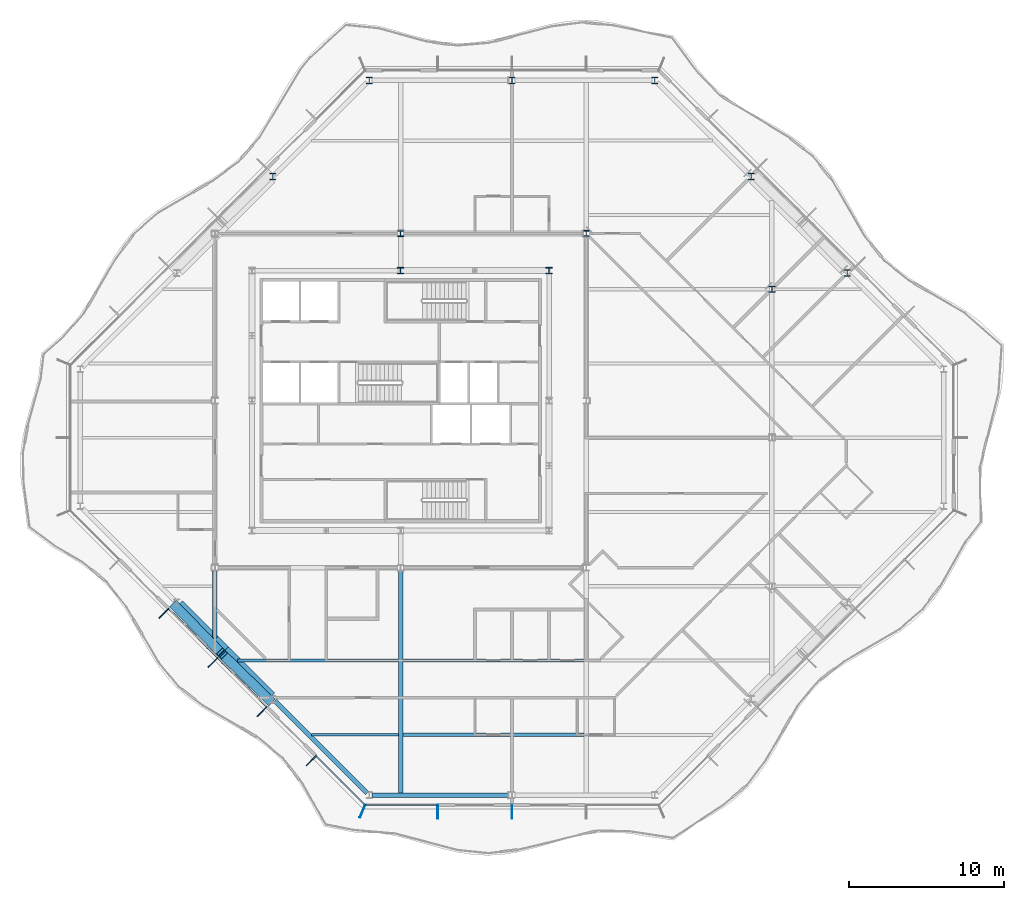
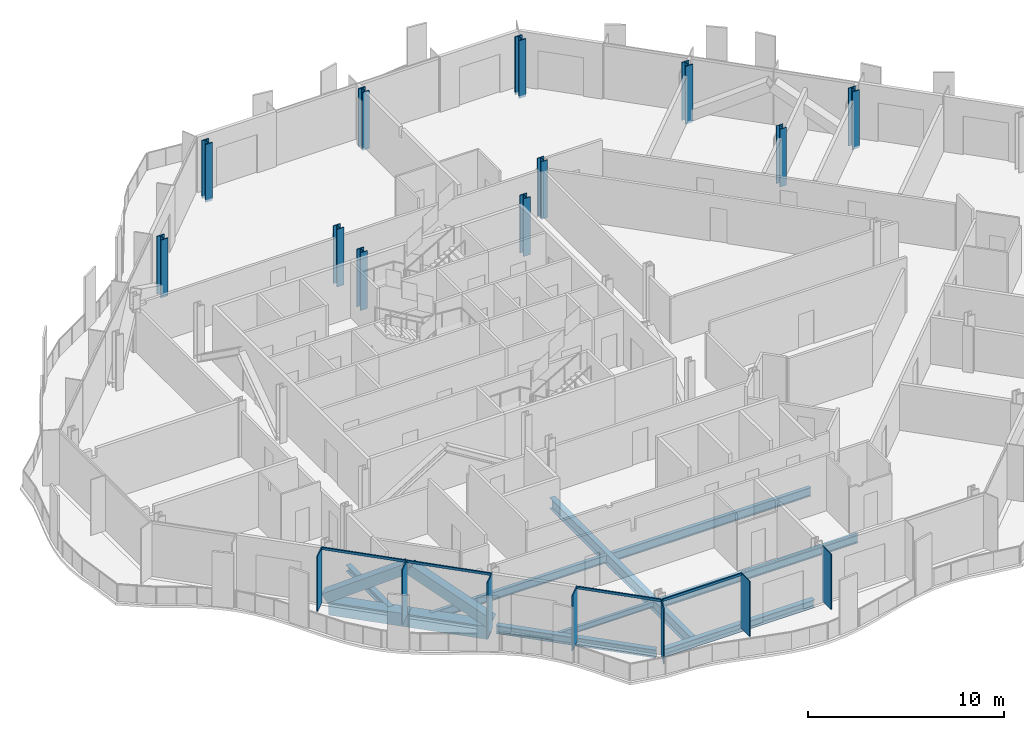
# One storey, part 2 of 17: 13 members, 11 columns, 10 beams, 2 elements without a shape of their own.
"""IFC4 building model written with IfcOpenShell, lengths in metres."""

import ifcopenshell
import ifcopenshell.guid

model = None  # the IFC model being written
_history = None  # IfcOwnerHistory: only IFC2X3 demands one
_inside = {}  # id of a spatial element -> (the spatial element, [elements in it])
_under = {}  # id of a project, library or spatial element -> (it, [spatial elements below it])
_declared = {}  # id of a project -> (the project, [libraries it declares])
_typed = {}  # id of a type object -> (the type object, [elements of that type])
_made_of = {}  # id of a material, layer set ... -> (it, [elements and type objects made of it])


def new_model(schema):
    """Start an empty IFC model of exactly this schema.

    Asked for "IFC4X3", IfcOpenShell would pick the latest addendum, in which some entities
    have other attributes; the version numbers below select the first issue.
    IFC2X3 requires an IfcOwnerHistory on every rooted entity: one is made here for all.
    """
    global model, _history
    if schema == "IFC4X3":
        model = ifcopenshell.file(schema_version=(4, 3, 0, 0))
    else:
        model = ifcopenshell.file(schema=schema)
    _inside.clear()
    _under.clear()
    _declared.clear()
    _typed.clear()
    _made_of.clear()
    _history = None
    if model.schema == "IFC2X3":
        org = make("IfcOrganization", Name="unknown")
        user = make(
            "IfcPersonAndOrganization",
            ThePerson=make("IfcPerson", FamilyName="unknown"),
            TheOrganization=org,
        )
        app = make(
            "IfcApplication",
            ApplicationDeveloper=org,
            Version="unknown",
            ApplicationFullName="unknown",
            ApplicationIdentifier="unknown",
        )
        _history = make(
            "IfcOwnerHistory",
            OwningUser=user,
            OwningApplication=app,
            ChangeAction="ADDED",
            CreationDate=0,
        )
    return model


def make(cls, **values):
    """One entity of the class cls with the attributes given. An attribute that is None is left unset."""
    return model.create_entity(
        cls, **{name: value for name, value in values.items() if value is not None}
    )


def rooted(cls, **values):
    """An entity with a GlobalId (a new one), such as an element, a storey or a relation."""
    return make(cls, GlobalId=ifcopenshell.guid.new(), OwnerHistory=_history, **values)


def si_unit(unit_type, name, prefix=None):
    """IfcSIUnit, for example si_unit("LENGTHUNIT", "METRE", prefix="MILLI")."""
    return make("IfcSIUnit", UnitType=unit_type, Prefix=prefix, Name=name)


def assignment(units):
    """IfcUnitAssignment: the units of a project."""
    return None if units is None else make("IfcUnitAssignment", Units=units)


def point(xyz):
    """IfcCartesianPoint."""
    return None if xyz is None else make("IfcCartesianPoint", Coordinates=xyz)


def direction(xyz):
    """IfcDirection."""
    return None if xyz is None else make("IfcDirection", DirectionRatios=xyz)


def frame(location, z_axis=None, x_axis=None):
    """IfcAxis2Placement3D, a coordinate frame: its origin and axes. An axis left out is left unset."""
    return make(
        "IfcAxis2Placement3D",
        Location=point(location),
        Axis=direction(z_axis),
        RefDirection=direction(x_axis),
    )


def frame_2d(location, x_axis=None):
    """IfcAxis2Placement2D, a coordinate frame in the plane: its origin and x axis."""
    return make(
        "IfcAxis2Placement2D", Location=point(location), RefDirection=direction(x_axis)
    )


def origin():
    """The frame at (0, 0, 0) with its axes left unset."""
    return frame((0.0, 0.0, 0.0))


def origin_2d():
    """The frame at (0, 0) in the plane with its x axis left unset."""
    return frame_2d((0.0, 0.0))


def place(relative_to, where):
    """IfcLocalPlacement: puts the frame where relative to a parent placement (None: the world)."""
    return make(
        "IfcLocalPlacement", PlacementRelTo=relative_to, RelativePlacement=where
    )


def context(
    kind, dimensions, precision=None, world=None, true_north=None, identifier=None
):
    """IfcGeometricRepresentationContext, for example the 3D "Model" context."""
    return make(
        "IfcGeometricRepresentationContext",
        ContextIdentifier=identifier,
        ContextType=kind,
        CoordinateSpaceDimension=dimensions,
        Precision=precision,
        WorldCoordinateSystem=world,
        TrueNorth=true_north,
    )


def subcontext(parent, identifier, kind, view, scale=None):
    """IfcGeometricRepresentationSubContext, for example "Body" below "Model"."""
    return make(
        "IfcGeometricRepresentationSubContext",
        ContextIdentifier=identifier,
        ContextType=kind,
        ParentContext=parent,
        TargetScale=scale,
        TargetView=view,
    )


def project(units=None, contexts=None):
    """IfcProject with its units and contexts."""
    return rooted(
        "IfcProject",
        Name="project",
        RepresentationContexts=contexts,
        UnitsInContext=assignment(units),
    )


def spatial(cls, under=None, at=None, **own):
    """A site, building, storey or space (cls), placed at a placement, below another one or the project."""
    s = rooted(cls, ObjectPlacement=at, **own)
    if under is not None:
        _under.setdefault(under.id(), (under, []))[1].append(s)
    return s


def profile(cls, at=None, kind="AREA", **sizes):
    """A parametric profile (cls). Its sizes go by their IFC names, for example OverallWidth=200.0."""
    return make(cls, ProfileType=kind, Position=at, **sizes)


def rectangle(**sizes):
    """IfcRectangleProfileDef."""
    return profile("IfcRectangleProfileDef", **sizes)


def hollow_rectangle(**sizes):
    """IfcRectangleHollowProfileDef."""
    return profile("IfcRectangleHollowProfileDef", **sizes)


def i_section(**sizes):
    """IfcIShapeProfileDef."""
    return profile("IfcIShapeProfileDef", **sizes)


def extrude(swept, where, along, depth):
    """IfcExtrudedAreaSolid: the profile swept, set in the frame where, extruded along a direction by depth."""
    return make(
        "IfcExtrudedAreaSolid",
        SweptArea=swept,
        Position=where,
        ExtrudedDirection=direction(along),
        Depth=depth,
    )


def shape(context_of_items, identifier, shape_type, items):
    """IfcShapeRepresentation: the items that make up one representation, for example the "Body"."""
    return make(
        "IfcShapeRepresentation",
        ContextOfItems=context_of_items,
        RepresentationIdentifier=identifier,
        RepresentationType=shape_type,
        Items=items,
    )


def material(Name=None, Category=None):
    """IfcMaterial."""
    return make("IfcMaterial", Name=Name, Category=Category)


def material_profile(
    of_material, cross_section, Name=None, Category=None, Priority=None
):
    """IfcMaterialProfile: a cross section and its material."""
    return make(
        "IfcMaterialProfile",
        Name=Name,
        Material=of_material,
        Profile=cross_section,
        Priority=Priority,
        Category=Category,
    )


def profile_set(profiles, Name=None, composite=None):
    """IfcMaterialProfileSet."""
    return make(
        "IfcMaterialProfileSet",
        Name=Name,
        MaterialProfiles=profiles,
        CompositeProfile=composite,
    )


def made_of(thing, what):
    """Note that an element or type object is made of a material, layer set ...; save() writes the relation."""
    if what is not None:
        _made_of.setdefault(what.id(), (what, []))[1].append(thing)
    return thing


def type_object(cls, material=None, **own):
    """A type object (cls), such as IfcWallType, which elements share."""
    return made_of(rooted(cls, **own), material)


def element(
    cls,
    number,
    at=None,
    inside=None,
    cuts=None,
    type_object=None,
    material=None,
    context=None,
    identifier="Body",
    shape_type=None,
    held_by="IfcProductDefinitionShape",
    body=None,
    shapes=None,
    **own,
):
    """One element of the class cls, such as IfcWall. Its Tag is "e" and its number.

    at: its placement. inside: the storey or other place that contains it. cuts: it is an
    opening in that element (IfcRelVoidsElement). A single representation is given by context,
    identifier, shape_type and body (its items); several are given by shapes. held_by: the class
    of the entity that holds the representations. save() writes the other relations.
    """
    e = rooted(cls, Tag="e%d" % number, ObjectPlacement=at, **own)
    if body is not None:
        shapes = [shape(context, identifier, shape_type, body)]
    if shapes is not None:
        e.Representation = make(held_by, Representations=shapes)
    if inside is not None:
        _inside.setdefault(inside.id(), (inside, []))[1].append(e)
    if cuts is not None:
        rooted(
            "IfcRelVoidsElement", RelatingBuildingElement=cuts, RelatedOpeningElement=e
        )
    if type_object is not None:
        _typed.setdefault(type_object.id(), (type_object, []))[1].append(e)
    return made_of(e, material)


def aggregate(whole, parts):
    """IfcRelAggregates: a whole, such as a stair, and the parts it consists of."""
    return rooted("IfcRelAggregates", RelatingObject=whole, RelatedObjects=parts)


def save(model, path):
    """Write the relations noted so far, then the file.

    IfcRelAggregates (storeys below a building ...), IfcRelContainedInSpatialStructure (elements
    in a storey), IfcRelDefinesByType, IfcRelAssociatesMaterial and IfcRelDeclares: one each for
    every whole, place, type object, material and project.
    """
    for whole, parts in _under.values():
        aggregate(whole, parts)
    for where, things in _inside.values():
        rooted(
            "IfcRelContainedInSpatialStructure",
            RelatedElements=things,
            RelatingStructure=where,
        )
    for kind, things in _typed.values():
        rooted("IfcRelDefinesByType", RelatedObjects=things, RelatingType=kind)
    for what, things in _made_of.values():
        rooted("IfcRelAssociatesMaterial", RelatedObjects=things, RelatingMaterial=what)
    for by, libraries in _declared.values():
        rooted("IfcRelDeclares", RelatingContext=by, RelatedDefinitions=libraries)
    model.write(path)


model = new_model("IFC4")

# Units and contexts
model_context = context("Model", 3, precision=1e-05, world=origin(), true_north=direction((0.0, 1.0)))
body_context = subcontext(model_context, "Body", "Model", "MODEL_VIEW")
ifc_project = project(units=[si_unit("LENGTHUNIT", "METRE"), si_unit("AREAUNIT", "SQUARE_METRE"), si_unit("VOLUMEUNIT", "CUBIC_METRE"), si_unit("PLANEANGLEUNIT", "RADIAN"), si_unit("MASSUNIT", "GRAM", prefix="KILO")], contexts=[model_context])

# Site, building, storey
site_placement = place(None, origin())
site = spatial("IfcSite", under=ifc_project, at=site_placement, CompositionType="ELEMENT")
building_placement = place(site_placement, origin())
building = spatial("IfcBuilding", under=site, at=building_placement, Name="Cairn Pilgrim Tower", CompositionType="ELEMENT")
storey_placement = place(building_placement, frame((0.0, 0.0, 214.199951171875)))
storey = spatial("IfcBuildingStorey", under=building, at=storey_placement, Name="L54", CompositionType="ELEMENT", Elevation=214.199951171875)

# Columns
ifc_material_1 = material(Name="Structural steel S355J2", Category="steel")
ifc_material_profile_1 = material_profile(ifc_material_1, i_section(OverallWidth=0.39892578125, OverallDepth=0.39306640625, WebThickness=0.022705078125, FlangeThickness=0.03662109375, FilletRadius=0.014892578125, at=origin_2d()), Name="HD 400x287")
ifc_profile_set_1 = profile_set([ifc_material_profile_1], Name="Structural steel S355J2")
column_type_1 = type_object("IfcColumnType", Name="HD 400x287", PredefinedType="COLUMN", material=ifc_profile_set_1)
for number, where, z_axis, x_axis, name in (
    (1, (7.199951171875, 13.199951171875, -0.14990234375), (0.0, 0.0, 1.0), (1.0, 0.0, 0.0), "IC-7"),
    (2, (19.199951171875, 13.199951171875, -0.14990234375), (0.0, 0.0, 1.0), (1.0, 0.0, 0.0), "IC-8"),
    (3, (31.199951171875, 9.60009765625, -0.14990234375), (0.0, 0.0, 1.0), (1.0, 0.0, 0.0), "WC-WE+2"),
):
    element("IfcColumn", number, at=place(storey_placement, frame(where, z_axis=z_axis, x_axis=x_axis)), inside=storey, type_object=column_type_1, Name=name, PredefinedType="COLUMN", context=body_context, shape_type="SweptSolid", body=[
        extrude(i_section(OverallWidth=0.39892578125, OverallDepth=0.39306640625, WebThickness=0.022705078125, FlangeThickness=0.03662109375, FilletRadius=0.014892578125, at=origin_2d()), origin(), (0.0, 0.0, 1.0), 3.599853515625),
    ])
ifc_material_2 = material(Name="Structural steel S460M", Category="steel")
ifc_material_profile_2 = material_profile(ifc_material_2, i_section(OverallWidth=0.404052734375, OverallDepth=0.406982421875, WebThickness=0.027099609375, FlangeThickness=0.043701171875, FilletRadius=0.014892578125, at=origin_2d()), Name="HD 400x347")
ifc_profile_set_2 = profile_set([ifc_material_profile_2], Name="Structural steel S460M")
column_type_2 = type_object("IfcColumnType", Name="HD 400x347", PredefinedType="COLUMN", material=ifc_profile_set_2)
for number, where, z_axis, x_axis, name in (
    (4, (7.199951171875, 10.800048828125, -0.14990234375), (0.0, 0.0, 1.0), (1.0, 0.0, 0.0), "KC-7"),
    (5, (16.800048828125, 10.800048828125, -0.14990234375), (0.0, 0.0, 1.0), (1.0, 0.0, 0.0), "KC-8"),
):
    element("IfcColumn", number, at=place(storey_placement, frame(where, z_axis=z_axis, x_axis=x_axis)), inside=storey, type_object=column_type_2, Name=name, PredefinedType="COLUMN", context=body_context, shape_type="SweptSolid", body=[
        extrude(i_section(OverallWidth=0.404052734375, OverallDepth=0.406982421875, WebThickness=0.027099609375, FlangeThickness=0.043701171875, FilletRadius=0.014892578125, at=origin_2d()), origin(), (0.0, 0.0, 1.0), 3.599853515625),
    ])
ifc_material_profile_3 = material_profile(ifc_material_2, i_section(OverallWidth=0.416015625, OverallDepth=0.446044921875, WebThickness=0.0390625, FlangeThickness=0.062744140625, FilletRadius=0.014892578125, at=origin_2d()), Name="HD 400x509")
ifc_profile_set_3 = profile_set([ifc_material_profile_3], Name="Structural steel S460M")
column_type_3 = type_object("IfcColumnType", Name="HD 400x509", PredefinedType="COLUMN", material=ifc_profile_set_3)
for number, where, z_axis, x_axis, name in (
    (6, (36.07568359375, 10.651611328125, -0.14990234375), (0.0, 0.0, 1.0), (1.0, 0.0, 0.0), "PC3-NE2"),
    (7, (29.8515625, 16.875732421875, -0.14990234375), (0.0, 0.0, 1.0), (1.0, 0.0, 0.0), "PC3-NE3"),
    (8, (23.627197265625, 23.10009765625, -0.14990234375), (0.0, 0.0, 1.0), (1.0, 0.0, 0.0), "PC3-N1"),
    (9, (14.39990234375, 23.10009765625, -0.14990234375), (0.0, 0.0, 1.0), (1.0, 0.0, 0.0), "PC3-N2"),
    (10, (5.1728515625, 23.10009765625, -0.14990234375), (0.0, 0.0, 1.0), (1.0, 0.0, 0.0), "PC3-NW1"),
    (11, (-1.051513671875, 16.875732421875, -0.14990234375), (0.0, 0.0, 1.0), (1.0, 0.0, 0.0), "PC3-NW2"),
):
    element("IfcColumn", number, at=place(storey_placement, frame(where, z_axis=z_axis, x_axis=x_axis)), inside=storey, type_object=column_type_3, Name=name, PredefinedType="COLUMN", context=body_context, shape_type="SweptSolid", body=[
        extrude(i_section(OverallWidth=0.416015625, OverallDepth=0.446044921875, WebThickness=0.0390625, FlangeThickness=0.062744140625, FilletRadius=0.014892578125, at=origin_2d()), origin(), (0.0, 0.0, 1.0), 3.599853515625),
    ])

# Members
ifc_material_profile_4 = material_profile(ifc_material_2, hollow_rectangle(XDim=0.60009765625, YDim=0.60009765625, WallThickness=0.034912109375, at=origin_2d()), Name="BOX 600x600x35")
ifc_profile_set_4 = profile_set([ifc_material_profile_4], Name="Structural steel S460M")
member_type_1 = type_object("IfcMemberType", Name="BOX 600x600x35 BRACE", PredefinedType="BRACE", material=ifc_profile_set_4)
member_1_placement = place(storey_placement, frame((-7.4013671875, -10.823974609375, 0.150146484375), z_axis=(0.594778373814, -0.610009201523, 0.523571828979), x_axis=(0.715988756584, 0.698111810848, 0.0)))
element("IfcMember", 12, at=member_1_placement, inside=storey, type_object=member_type_1, Name="XB-SW2-SW3-1", PredefinedType="BRACE", context=body_context, shape_type="SweptSolid", body=[
    extrude(hollow_rectangle(XDim=0.60009765625, YDim=0.60009765625, WallThickness=0.034912109375, at=origin_2d()), origin(), (0.0, 0.0, 1.0), 5.033203125),
])
member_2_placement = place(storey_placement, frame((-1.22412109375, -17.00146484375, 0.150146484375), z_axis=(-0.609978743911, 0.59479597279, 0.523587321016), x_axis=(-0.698140268834, -0.71596100804, 0.0)))
element("IfcMember", 13, at=member_2_placement, inside=storey, type_object=member_type_1, Name="XB-SW2-SW3-2", PredefinedType="BRACE", context=body_context, shape_type="SweptSolid", body=[
    extrude(hollow_rectangle(XDim=0.60009765625, YDim=0.60009765625, WallThickness=0.034912109375, at=origin_2d()), origin(), (0.0, 0.0, 1.0), 5.032958984375),
])

# Beams
ifc_material_profile_5 = material_profile(ifc_material_1, hollow_rectangle(XDim=0.699951171875, YDim=0.800048828125, WallThickness=0.0400390625, at=origin_2d()), Name="BOX 700x800x40")
ifc_profile_set_5 = profile_set([ifc_material_profile_5], Name="Structural steel S355J2")
beam_type_1 = type_object("IfcBeamType", Name="BOX 700x800x40 RING GIRDER", PredefinedType="SPANDREL", material=ifc_profile_set_5)
beam_1_placement = place(storey_placement, frame((-7.143310546875, -10.78369140625, -0.550048828125), z_axis=(0.707077813866, -0.707135747321, 0.0), x_axis=(0.707135747321, 0.707077813866, 0.0)))
element("IfcBeam", 14, at=beam_1_placement, inside=storey, type_object=beam_type_1, Name="RG3-SW2-SW3-1", PredefinedType="SPANDREL", context=body_context, shape_type="SweptSolid", body=[
    extrude(hollow_rectangle(XDim=0.699951171875, YDim=0.800048828125, WallThickness=0.0400390625, at=origin_2d()), origin(), (0.0, 0.0, 1.0), 4.214111328125),
])
beam_2_placement = place(storey_placement, frame((-4.16357421875, -13.763671875, -0.550048828125), z_axis=(0.707106781187, -0.707106781187, 0.0), x_axis=(0.707106781187, 0.707106781187, 0.0)))
element("IfcBeam", 15, at=beam_2_placement, inside=storey, type_object=beam_type_1, Name="RG3-SW2-SW3-2", PredefinedType="SPANDREL", context=body_context, shape_type="SweptSolid", body=[
    extrude(hollow_rectangle(XDim=0.699951171875, YDim=0.800048828125, WallThickness=0.0400390625, at=origin_2d()), origin(), (0.0, 0.0, 1.0), 4.2138671875),
])

# Curtain wall, members
ifc_material_3 = material(Name="Aluminium alloy 6063-T6 bronze anodised with Bronze tinted laminated low-E glass 8+16+8.8", Category="aluminium")
curtain_wall_type_1 = type_object("IfcCurtainWallType", Name="TOWER STICK CURTAIN WALL NS", PredefinedType="NOTDEFINED", material=ifc_material_3)
curtain_wall_1_placement = place(storey_placement, origin())
curtain_wall_1 = element("IfcCurtainWall", 16, at=curtain_wall_1_placement, inside=storey, type_object=curtain_wall_type_1, Name="Tower Stick Curtain Wall Ns S", PredefinedType="NOTDEFINED")
ifc_material_4 = material(Name="Aluminium alloy 6063-T6 bronze anodised", Category="aluminium")
ifc_material_profile_6 = material_profile(ifc_material_4, rectangle(XDim=0.89990234375, YDim=0.06005859375, at=origin_2d()), Name="FIN MULLION 60x900 BRONZE")
ifc_profile_set_6 = profile_set([ifc_material_profile_6], Name="Aluminium alloy 6063-T6 bronze anodised")
member_type_2 = type_object("IfcMemberType", Name="FIN MULLION 60x900 BRONZE", PredefinedType="MULLION", material=ifc_profile_set_6)
member_3_placement = place(storey_placement, frame((4.742919921875, -24.137939453125, 0.0), z_axis=(0.0, 0.0, 1.0), x_axis=(-0.382683432365, -0.923879532511, 0.0)))
member_3 = element("IfcMember", 17, at=member_3_placement, type_object=member_type_2, Name="Fin mullion S1", PredefinedType="MULLION", context=body_context, shape_type="SweptSolid", body=[
    extrude(rectangle(XDim=0.89990234375, YDim=0.06005859375, at=origin_2d()), origin(), (0.0, 0.0, 1.0), 3.449951171875),
])
member_4_placement = place(storey_placement, frame((9.60009765625, -24.169921875, 0.0), z_axis=(0.0, 0.0, 1.0), x_axis=(0.0, -1.0, 0.0)))
member_4 = element("IfcMember", 18, at=member_4_placement, type_object=member_type_2, Name="Fin mullion S2", PredefinedType="MULLION", context=body_context, shape_type="SweptSolid", body=[
    extrude(rectangle(XDim=0.89990234375, YDim=0.06005859375, at=origin_2d()), origin(), (0.0, 0.0, 1.0), 3.449951171875),
])
member_5_placement = place(storey_placement, frame((14.39990234375, -24.169921875, 0.0), z_axis=(0.0, 0.0, 1.0), x_axis=(0.0, -1.0, 0.0)))
member_5 = element("IfcMember", 19, at=member_5_placement, type_object=member_type_2, Name="Fin mullion S3", PredefinedType="MULLION", context=body_context, shape_type="SweptSolid", body=[
    extrude(rectangle(XDim=0.89990234375, YDim=0.06005859375, at=origin_2d()), origin(), (0.0, 0.0, 1.0), 3.449951171875),
])

curtain_wall_type_2 = type_object("IfcCurtainWallType", Name="CHAMFER CORNER CURTAIN WALL", PredefinedType="NOTDEFINED", material=ifc_material_3)
curtain_wall_2_placement = place(storey_placement, origin())
curtain_wall_2 = element("IfcCurtainWall", 20, at=curtain_wall_2_placement, inside=storey, type_object=curtain_wall_type_2, Name="Chamfer Corner Curtain Wall SW", PredefinedType="NOTDEFINED")
member_6_placement = place(storey_placement, frame((-8.095703125, -11.3447265625, 0.0), z_axis=(0.0, 0.0, 1.0), x_axis=(-0.707106781187, -0.707106781187, 0.0)))
member_6 = element("IfcMember", 21, at=member_6_placement, type_object=member_type_2, Name="Fin mullion SW3", PredefinedType="MULLION", context=body_context, shape_type="SweptSolid", body=[
    extrude(rectangle(XDim=0.89990234375, YDim=0.06005859375, at=origin_2d()), origin(), (0.0, 0.0, 1.0), 3.449951171875),
])
member_7_placement = place(storey_placement, frame((-4.920166015625, -14.520263671875, 0.0), z_axis=(0.0, 0.0, 1.0), x_axis=(-0.707106781187, -0.707106781187, 0.0)))
member_7 = element("IfcMember", 22, at=member_7_placement, type_object=member_type_2, Name="Fin mullion SW4", PredefinedType="MULLION", context=body_context, shape_type="SweptSolid", body=[
    extrude(rectangle(XDim=0.89990234375, YDim=0.06005859375, at=origin_2d()), origin(), (0.0, 0.0, 1.0), 3.449951171875),
])
member_8_placement = place(storey_placement, frame((-1.74462890625, -17.69580078125, 0.0), z_axis=(0.0, 0.0, 1.0), x_axis=(-0.707106781187, -0.707106781187, 0.0)))
member_8 = element("IfcMember", 23, at=member_8_placement, type_object=member_type_2, Name="Fin mullion SW5", PredefinedType="MULLION", context=body_context, shape_type="SweptSolid", body=[
    extrude(rectangle(XDim=0.89990234375, YDim=0.06005859375, at=origin_2d()), origin(), (0.0, 0.0, 1.0), 3.449951171875),
])
member_9_placement = place(storey_placement, frame((1.430908203125, -20.871337890625, 0.0), z_axis=(0.0, 0.0, 1.0), x_axis=(-0.707106781187, -0.707106781187, 0.0)))
member_9 = element("IfcMember", 24, at=member_9_placement, type_object=member_type_2, Name="Fin mullion SW6", PredefinedType="MULLION", context=body_context, shape_type="SweptSolid", body=[
    extrude(rectangle(XDim=0.89990234375, YDim=0.06005859375, at=origin_2d()), origin(), (0.0, 0.0, 1.0), 3.449951171875),
])

# Beams
ifc_material_profile_7 = material_profile(ifc_material_1, i_section(OverallWidth=0.300048828125, OverallDepth=0.39990234375, WebThickness=0.013427734375, FlangeThickness=0.02392578125, FilletRadius=0.027099609375, at=origin_2d()), Name="HEB 400")
ifc_profile_set_7 = profile_set([ifc_material_profile_7], Name="Structural steel S355J2")
beam_type_2 = type_object("IfcBeamType", Name="HEB 400 GIRDER", PredefinedType="BEAM", material=ifc_profile_set_7)
beam_3_placement = place(storey_placement, frame((-4.800048828125, -12.945068359375, -0.349853515625), z_axis=(0.0, 1.0, 0.0), x_axis=(-1.0, 0.0, 0.0)))
element("IfcBeam", 25, at=beam_3_placement, inside=storey, type_object=beam_type_2, Name="PG2-1", PredefinedType="BEAM", context=body_context, shape_type="SweptSolid", body=[
    extrude(i_section(OverallWidth=0.300048828125, OverallDepth=0.39990234375, WebThickness=0.013427734375, FlangeThickness=0.02392578125, FilletRadius=0.027099609375, at=origin_2d()), origin(), (0.0, 0.0, 1.0), 4.345458984375),
])
ifc_material_profile_8 = material_profile(ifc_material_1, i_section(OverallWidth=0.300048828125, OverallDepth=0.5, WebThickness=0.014404296875, FlangeThickness=0.028076171875, FilletRadius=0.027099609375, at=origin_2d()), Name="HEB 500")
ifc_profile_set_8 = profile_set([ifc_material_profile_8], Name="Structural steel S355J2")
beam_type_3 = type_object("IfcBeamType", Name="HEB 500 RING GIRDER", PredefinedType="SPANDREL", material=ifc_profile_set_8)
beam_4_placement = place(storey_placement, frame((5.360107421875, -23.10009765625, -0.39990234375), z_axis=(1.0, 0.0, 0.0), x_axis=(0.0, 1.0, 0.0)))
element("IfcBeam", 26, at=beam_4_placement, inside=storey, type_object=beam_type_3, Name="RG3-S1-S2", PredefinedType="SPANDREL", context=body_context, shape_type="SweptSolid", body=[
    extrude(i_section(OverallWidth=0.300048828125, OverallDepth=0.5, WebThickness=0.014404296875, FlangeThickness=0.028076171875, FilletRadius=0.027099609375, at=origin_2d()), origin(), (0.0, 0.0, 1.0), 8.852783203125),
])
beam_5_placement = place(storey_placement, frame((-0.919189453125, -17.008056640625, -0.39990234375), z_axis=(0.707106781187, -0.707106781187, 0.0), x_axis=(0.707106781187, 0.707106781187, 0.0)))
element("IfcBeam", 27, at=beam_5_placement, inside=storey, type_object=beam_type_3, Name="RG3-SW3-S1", PredefinedType="SPANDREL", context=body_context, shape_type="SweptSolid", body=[
    extrude(i_section(OverallWidth=0.300048828125, OverallDepth=0.5, WebThickness=0.014404296875, FlangeThickness=0.028076171875, FilletRadius=0.027099609375, at=origin_2d()), origin(), (0.0, 0.0, 1.0), 8.427978515625),
])
ifc_material_profile_9 = material_profile(ifc_material_1, i_section(OverallWidth=0.300048828125, OverallDepth=0.699951171875, WebThickness=0.01708984375, FlangeThickness=0.031982421875, FilletRadius=0.027099609375, at=origin_2d()), Name="HEB 700")
ifc_profile_set_9 = profile_set([ifc_material_profile_9], Name="Structural steel S355J2")
beam_type_4 = type_object("IfcBeamType", Name="HEB 700 GIRDER", PredefinedType="BEAM", material=ifc_profile_set_9)
beam_6_placement = place(storey_placement, frame((7.199951171875, -22.97998046875, -0.5), z_axis=(0.0, 1.0, 0.0), x_axis=(-1.0, 0.0, 0.0)))
element("IfcBeam", 28, at=beam_6_placement, inside=storey, type_object=beam_type_4, Name="PG3-1", PredefinedType="BEAM", context=body_context, shape_type="SweptSolid", body=[
    extrude(i_section(OverallWidth=0.300048828125, OverallDepth=0.699951171875, WebThickness=0.01708984375, FlangeThickness=0.031982421875, FilletRadius=0.027099609375, at=origin_2d()), origin(), (0.0, 0.0, 1.0), 14.38037109375),
])
ifc_material_profile_10 = material_profile(ifc_material_1, i_section(OverallWidth=0.169921875, OverallDepth=0.360107421875, WebThickness=0.008056640625, FlangeThickness=0.0126953125, FilletRadius=0.01806640625, at=origin_2d()), Name="IPE 360")
ifc_profile_set_10 = profile_set([ifc_material_profile_10], Name="Structural steel S355J2")
beam_type_5 = type_object("IfcBeamType", Name="IPE 360 SECONDARY BEAM", PredefinedType="JOIST", material=ifc_profile_set_10)
beam_7_placement = place(storey_placement, frame((1.454833984375, -19.199951171875, -0.329833984375), z_axis=(1.0, 0.0, 0.0), x_axis=(0.0, 1.0, 0.0)))
element("IfcBeam", 29, at=beam_7_placement, inside=storey, type_object=beam_type_5, Name="SB1-1", PredefinedType="JOIST", context=body_context, shape_type="SweptSolid", body=[
    extrude(i_section(OverallWidth=0.169921875, OverallDepth=0.360107421875, WebThickness=0.008056640625, FlangeThickness=0.0126953125, FilletRadius=0.01806640625, at=origin_2d()), origin(), (0.0, 0.0, 1.0), 5.59521484375),
])
ifc_material_profile_11 = material_profile(ifc_material_1, i_section(OverallWidth=0.199951171875, OverallDepth=0.5, WebThickness=0.01025390625, FlangeThickness=0.01611328125, FilletRadius=0.02099609375, at=origin_2d()), Name="IPE 500")
ifc_profile_set_11 = profile_set([ifc_material_profile_11], Name="Structural steel S355J2")
beam_type_6 = type_object("IfcBeamType", Name="IPE 500 SECONDARY BEAM", PredefinedType="JOIST", material=ifc_profile_set_11)
beam_8_placement = place(storey_placement, frame((-3.34521484375, -14.39990234375, -0.39990234375), z_axis=(1.0, 0.0, 0.0), x_axis=(0.0, 1.0, 0.0)))
element("IfcBeam", 30, at=beam_8_placement, inside=storey, type_object=beam_type_6, Name="SB2-1", PredefinedType="JOIST", context=body_context, shape_type="SweptSolid", body=[
    extrude(i_section(OverallWidth=0.199951171875, OverallDepth=0.5, WebThickness=0.01025390625, FlangeThickness=0.01611328125, FilletRadius=0.02099609375, at=origin_2d()), origin(), (0.0, 0.0, 1.0), 10.395263671875),
])
ifc_material_profile_12 = material_profile(ifc_material_1, i_section(OverallWidth=0.2099609375, OverallDepth=0.550048828125, WebThickness=0.010986328125, FlangeThickness=0.01708984375, FilletRadius=0.02392578125, at=origin_2d()), Name="IPE 550")
ifc_profile_set_12 = profile_set([ifc_material_profile_12], Name="Structural steel S355J2")
beam_type_7 = type_object("IfcBeamType", Name="IPE 550 SECONDARY BEAM", PredefinedType="JOIST", material=ifc_profile_set_12)
for number, where, z_axis, x_axis, name in (
    (31, (7.35009765625, -19.199951171875, -0.425048828125), (1.0, 0.0, 0.0), (0.0, 1.0, 0.0), "SB1-2"),
    (32, (7.35009765625, -14.39990234375, -0.425048828125), (1.0, 0.0, 0.0), (0.0, 1.0, 0.0), "SB2-2"),
):
    element("IfcBeam", number, at=place(storey_placement, frame(where, z_axis=z_axis, x_axis=x_axis)), inside=storey, type_object=beam_type_7, Name=name, PredefinedType="JOIST", context=body_context, shape_type="SweptSolid", body=[
        extrude(i_section(OverallWidth=0.2099609375, OverallDepth=0.550048828125, WebThickness=0.010986328125, FlangeThickness=0.01708984375, FilletRadius=0.02392578125, at=origin_2d()), origin(), (0.0, 0.0, 1.0), 11.699951171875),
    ])

# Member
ifc_material_profile_13 = material_profile(ifc_material_4, rectangle(XDim=0.080078125, YDim=0.14990234375, at=origin_2d()), Name="TRANSOM 80x150 BRONZE")
ifc_profile_set_13 = profile_set([ifc_material_profile_13], Name="Aluminium alloy 6063-T6 bronze anodised")
member_type_3 = type_object("IfcMemberType", Name="TRANSOM 80x150 BRONZE", PredefinedType="USERDEFINED", material=ifc_profile_set_13)
member_10_placement = place(storey_placement, frame((4.943603515625, -23.75, 3.375), z_axis=(1.0, 0.0, 0.0), x_axis=(0.0, 1.0, 0.0)))
member_10 = element("IfcMember", 33, at=member_10_placement, type_object=member_type_3, Name="Transom S1", ObjectType="TRANSOM", PredefinedType="USERDEFINED", context=body_context, shape_type="SweptSolid", body=[
    extrude(rectangle(XDim=0.080078125, YDim=0.14990234375, at=origin_2d()), origin(), (0.0, 0.0, 1.0), 4.62646484375),
])

aggregate(curtain_wall_1, [member_3, member_4, member_5, member_10])

member_11_placement = place(storey_placement, frame((-7.777587890625, -11.06884765625, 3.375), z_axis=(0.707106781187, -0.707106781187, 0.0), x_axis=(0.707106781187, 0.707106781187, 0.0)))
member_11 = element("IfcMember", 34, at=member_11_placement, type_object=member_type_3, Name="Transom SW3", ObjectType="TRANSOM", PredefinedType="USERDEFINED", context=body_context, shape_type="SweptSolid", body=[
    extrude(rectangle(XDim=0.080078125, YDim=0.14990234375, at=origin_2d()), origin(), (0.0, 0.0, 1.0), 4.430908203125),
])

member_12_placement = place(storey_placement, frame((-4.60205078125, -14.244384765625, 3.375), z_axis=(0.707106781187, -0.707106781187, 0.0), x_axis=(0.707106781187, 0.707106781187, 0.0)))
member_12 = element("IfcMember", 35, at=member_12_placement, type_object=member_type_3, Name="Transom SW4", ObjectType="TRANSOM", PredefinedType="USERDEFINED", context=body_context, shape_type="SweptSolid", body=[
    extrude(rectangle(XDim=0.080078125, YDim=0.14990234375, at=origin_2d()), origin(), (0.0, 0.0, 1.0), 4.43115234375),
])

member_13_placement = place(storey_placement, frame((1.749267578125, -20.595703125, 3.375), z_axis=(0.707106781187, -0.707106781187, 0.0), x_axis=(0.707106781187, 0.707106781187, 0.0)))
member_13 = element("IfcMember", 36, at=member_13_placement, type_object=member_type_3, Name="Transom SW6", ObjectType="TRANSOM", PredefinedType="USERDEFINED", context=body_context, shape_type="SweptSolid", body=[
    extrude(rectangle(XDim=0.080078125, YDim=0.14990234375, at=origin_2d()), origin(), (0.0, 0.0, 1.0), 4.4208984375),
])

aggregate(curtain_wall_2, [member_6, member_7, member_8, member_9, member_11, member_12, member_13])

save(model, "model.ifc")
